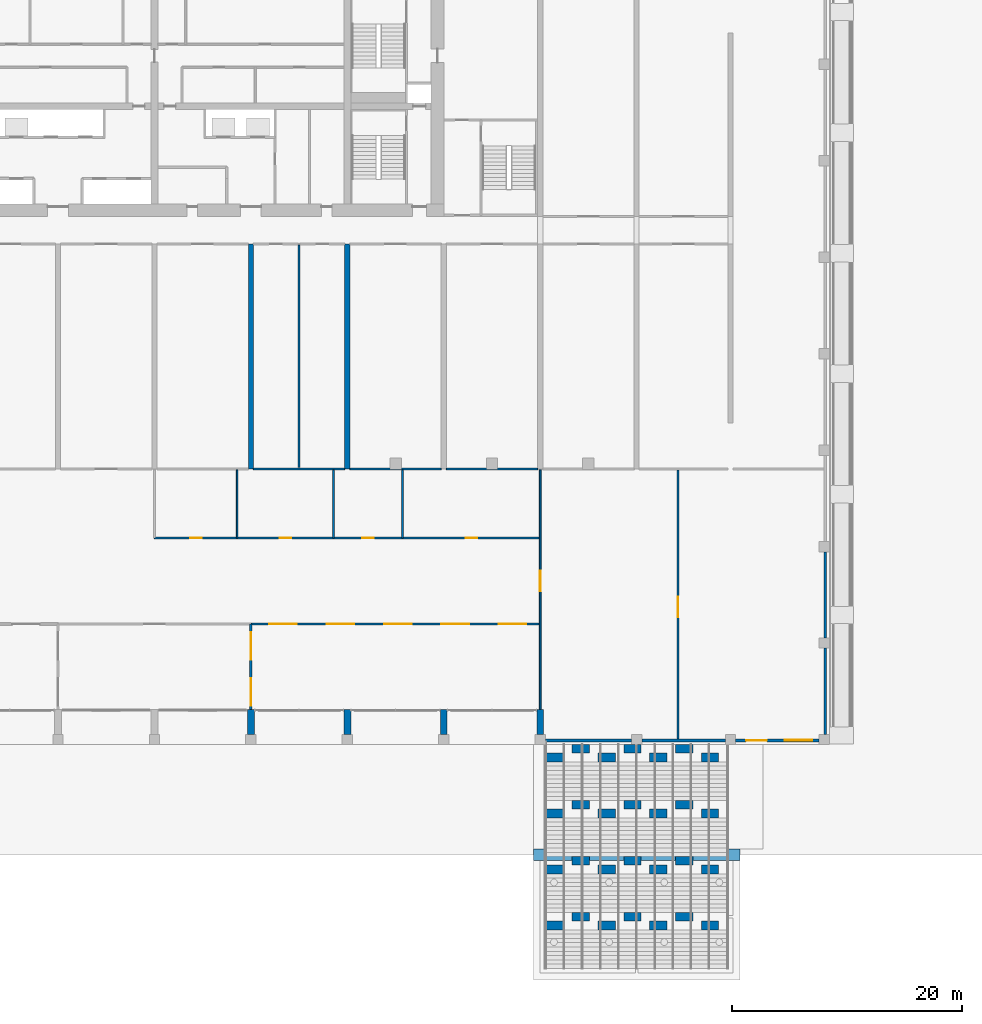
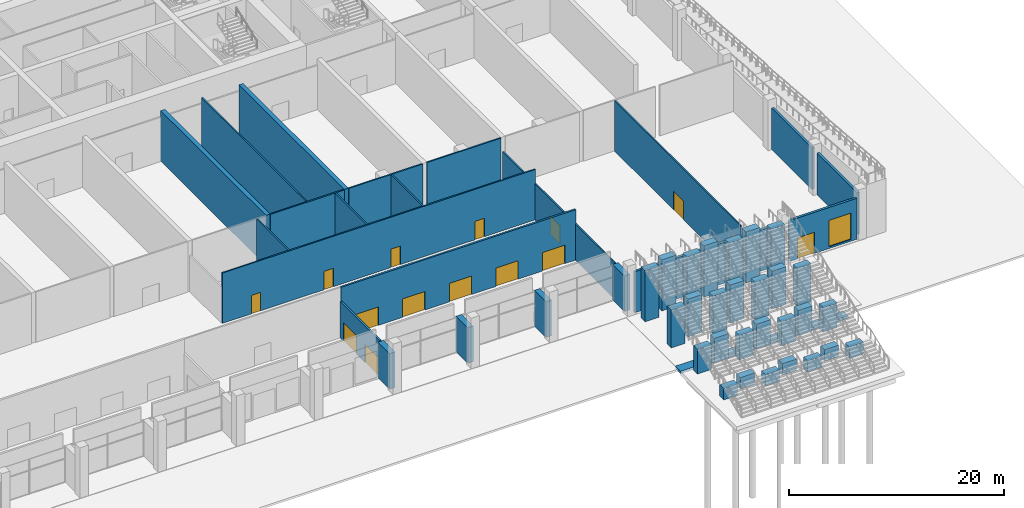
# One storey, part 9 of 20: 52 walls, 14 doors, 1 window, 15 openings.
"""IFC4 building model written with IfcOpenShell, lengths in metres."""

from ifc_helpers import new_model, si_unit, direction, frame, frame_2d, origin, place, context, subcontext, project, spatial, rectangle, extrude, source, transform, mapped, material, layer, layer_set, type_object, element, fill, save


model = new_model("IFC4")

# Units and contexts
model_context = context("Model", 3, precision=1e-05, world=origin(), true_north=direction((0.0, 1.0)))
body_context = subcontext(model_context, "Body", "Model", "MODEL_VIEW")
ifc_project = project(units=[si_unit("LENGTHUNIT", "METRE"), si_unit("AREAUNIT", "SQUARE_METRE"), si_unit("VOLUMEUNIT", "CUBIC_METRE"), si_unit("PLANEANGLEUNIT", "RADIAN"), si_unit("MASSUNIT", "GRAM", prefix="KILO")], contexts=[model_context])

# Site, building, storey
site_placement = place(None, origin())
site = spatial("IfcSite", under=ifc_project, at=site_placement, CompositionType="ELEMENT")
building_placement = place(site_placement, origin())
building = spatial("IfcBuilding", under=site, at=building_placement, Name="Vanashikhar Sky Hotel", CompositionType="ELEMENT")
storey_placement = place(building_placement, origin())
storey = spatial("IfcBuildingStorey", under=building, at=storey_placement, Name="L00", CompositionType="ELEMENT", Elevation=0.0)

# Walls
ifc_material_1 = material(Name="Concrete M80", Category="concrete")
ifc_layer_1 = layer(ifc_material_1, 0.449951171875)
ifc_layer_set_1 = layer_set([ifc_layer_1], Name="RC shear wall 450 Concrete M80")
wall_type_1 = type_object("IfcWallType", Name="RC shear wall 450 Concrete M80", PredefinedType="SHEAR", material=ifc_layer_set_1)
shared_shape_1 = source(origin(), body_context, "Body", "SweptSolid", [
    extrude(rectangle(XDim=19.60009765625, YDim=0.449951171875, at=frame_2d((9.800048828125, 0.0))), origin(), (0.0, 0.0, 1.0), 5.719970703125),
])
for number, where, z_axis, x_axis, name in (
    (1, (58.800048828125, 0.0, 0.0), (0.0, 0.0, 1.0), (0.0, 1.0, 0.0), "CW-L00-XW08-1"),
    (2, (67.199951171875, 0.0, 0.0), (0.0, 0.0, 1.0), (0.0, 1.0, 0.0), "CW-L00-XW09-1"),
):
    element("IfcWall", number, at=place(storey_placement, frame(where, z_axis=z_axis, x_axis=x_axis)), inside=storey, type_object=wall_type_1, Name=name, PredefinedType="SHEAR", context=body_context, shape_type="MappedRepresentation", body=[
        mapped(shared_shape_1, transform((0.0, 0.0, 0.0), scale=1.0)),
    ])
ifc_material_2 = material(Name="Concrete M50", Category="concrete")
ifc_layer_2 = layer(ifc_material_2, 1.0)
ifc_layer_set_2 = layer_set([ifc_layer_2], Name="RC retaining wall 1000 Concrete M50")
wall_type_2 = type_object("IfcWallType", Name="RC retaining wall 1000 Concrete M50", PredefinedType="SHEAR", material=ifc_layer_set_2)
shared_shape_2 = source(origin(), body_context, "Body", "SweptSolid", [
    extrude(rectangle(XDim=18.0, YDim=1.0, at=frame_2d((9.0, 0.0))), origin(), (0.0, 0.0, 1.0), 0.280029296875),
])
wall_1_placement = place(storey_placement, frame((83.39990234375, -33.60009765625, -0.280029296875), z_axis=(0.0, 0.0, 1.0), x_axis=(1.0, 0.0, 0.0)))
element("IfcWall", 3, at=wall_1_placement, inside=storey, type_object=wall_type_2, Name="RW-L00-SU", PredefinedType="SHEAR", context=body_context, shape_type="MappedRepresentation", body=[
    mapped(shared_shape_2, transform((0.0, 0.0, 0.0), scale=1.0)),
])
ifc_layer_3 = layer(ifc_material_2, 0.25)
ifc_layer_set_3 = layer_set([ifc_layer_3], Name="Rear and end board-marked wall 250")
wall_type_3 = type_object("IfcWallType", Name="Rear and end board-marked wall 250", PredefinedType="SOLIDWALL", material=ifc_layer_set_3)
shared_shape_3 = source(origin(), body_context, "Body", "SweptSolid", [
    extrude(rectangle(XDim=7.5, YDim=0.25, at=frame_2d((3.75, 0.0))), origin(), (0.0, 0.0, 1.0), 4.719970703125),
])
for number, where, z_axis, x_axis, name in (
    (4, (108.824951171875, -23.10009765625, 0.0), (0.0, 0.0, 1.0), (0.0, 1.0, 0.0), "Podium external wall"),
    (5, (108.824951171875, -14.699951171875, 0.0), (0.0, 0.0, 1.0), (0.0, 1.0, 0.0), "Podium external wall"),
):
    element("IfcWall", number, at=place(storey_placement, frame(where, z_axis=z_axis, x_axis=x_axis)), inside=storey, type_object=wall_type_3, Name=name, PredefinedType="SOLIDWALL", context=body_context, shape_type="MappedRepresentation", body=[
        mapped(shared_shape_3, transform((0.0, 0.0, 0.0), scale=1.0)),
    ])
shared_shape_4 = source(origin(), body_context, "Body", "SweptSolid", [
    extrude(rectangle(XDim=7.27490234375, YDim=0.25, at=frame_2d((3.637451171875, 0.0))), origin(), (0.0, 0.0, 1.0), 4.64990234375),
])
wall_2_placement = place(storey_placement, frame((92.85009765625, -23.625, 0.0), z_axis=(0.0, 0.0, 1.0), x_axis=(1.0, 0.0, 0.0)))
element("IfcWall", 6, at=wall_2_placement, inside=storey, type_object=wall_type_3, Name="Podium external wall", PredefinedType="SOLIDWALL", context=body_context, shape_type="MappedRepresentation", body=[
    mapped(shared_shape_4, transform((0.0, 0.0, 0.0), scale=1.0)),
])
shared_shape_5 = source(origin(), body_context, "Body", "SweptSolid", [
    extrude(rectangle(XDim=7.5, YDim=0.25, at=frame_2d((3.75, 0.0))), origin(), (0.0, 0.0, 1.0), 4.64990234375),
])
wall_3_placement = place(storey_placement, frame((84.449951171875, -23.625, 0.0), z_axis=(0.0, 0.0, 1.0), x_axis=(1.0, 0.0, 0.0)))
element("IfcWall", 7, at=wall_3_placement, inside=storey, type_object=wall_type_3, Name="Podium external wall", PredefinedType="SOLIDWALL", context=body_context, shape_type="MappedRepresentation", body=[
    mapped(shared_shape_5, transform((0.0, 0.0, 0.0), scale=1.0)),
])

# Wall, openings, window, door
shared_shape_6 = source(origin(), body_context, "Body", "SweptSolid", [
    extrude(rectangle(XDim=7.275146484375, YDim=0.25, at=frame_2d((3.6376953125, 0.0))), origin(), (0.0, 0.0, 1.0), 4.64990234375),
])
wall_4_placement = place(storey_placement, frame((101.02490234375, -23.625, 0.0), z_axis=(0.0, 0.0, 1.0), x_axis=(1.0, 0.0, 0.0)))
wall_4 = element("IfcWall", 8, at=wall_4_placement, inside=storey, type_object=wall_type_3, Name="Podium external wall", PredefinedType="SOLIDWALL", context=body_context, shape_type="MappedRepresentation", body=[
    mapped(shared_shape_6, transform((0.0, 0.0, 0.0), scale=1.0)),
])
shared_shape_7 = source(origin(), body_context, "Body", "SweptSolid", [
    extrude(rectangle(XDim=1.800048828125, YDim=2.39990234375, at=frame_2d((0.89990234375, 1.199951171875))), frame((0.0, 0.135009765625, 0.0), z_axis=(0.0, -1.0, 0.0), x_axis=(1.0, 0.0, 0.0)), (0.0, 0.0, 1.0), 0.27001953125),
])
opening_1_placement = place(wall_4_placement, frame((0.918701171875, 0.0, 0.0)))
opening_1 = element("IfcOpeningElement", 9, at=opening_1_placement, cuts=wall_4, Name="Opening DX-2-004", PredefinedType="OPENING", context=body_context, shape_type="MappedRepresentation", body=[
    mapped(shared_shape_7, transform((0.0, 0.0, 0.0), scale=1.0)),
])
shared_shape_8 = source(origin(), body_context, "Body", "SweptSolid", [
    extrude(rectangle(XDim=2.39990234375, YDim=3.0, at=frame_2d((1.199951171875, 1.5))), frame((0.0, 0.135009765625, 0.0), z_axis=(0.0, -1.0, 0.0), x_axis=(1.0, 0.0, 0.0)), (0.0, 0.0, 1.0), 0.27001953125),
])
opening_2_placement = place(wall_4_placement, frame((4.25634765625, 0.0, 0.199951171875)))
opening_2 = element("IfcOpeningElement", 10, at=opening_2_placement, cuts=wall_4, Name="Opening WN-5", PredefinedType="OPENING", context=body_context, shape_type="MappedRepresentation", body=[
    mapped(shared_shape_8, transform((0.0, 0.0, 0.0), scale=1.0)),
])
ifc_material_3 = material(Name="Glass", Category="glass")
window_type = type_object("IfcWindowType", Name="Shopfront window 2400 x 3000", PartitioningType="SINGLE_PANEL", PredefinedType="WINDOW", material=ifc_material_3)
shared_shape_9 = source(origin(), body_context, "Body", "SweptSolid", [
    extrude(rectangle(XDim=2.39990234375, YDim=3.0, at=frame_2d((1.199951171875, 1.5))), frame((0.0, 0.030029296875, 0.0), z_axis=(0.0, -1.0, 0.0), x_axis=(1.0, 0.0, 0.0)), (0.0, 0.0, 1.0), 0.06005859375),
])
window_placement = place(opening_2_placement, origin())
window = element("IfcWindow", 11, at=window_placement, inside=storey, type_object=window_type, Name="Window WN-5", OverallHeight=3.0, OverallWidth=2.39990234375, PartitioningType="SINGLE_PANEL", PredefinedType="WINDOW", context=body_context, shape_type="MappedRepresentation", body=[
    mapped(shared_shape_9, transform((0.0, 0.0, 0.0), scale=1.0)),
])
fill(opening_2, window)
ifc_material_4 = material(Name="Aluminium", Category="aluminium")
door_type_1 = type_object("IfcDoorType", Name="Garden double door 1800 x 2400", OperationType="NOTDEFINED", PredefinedType="DOOR", material=ifc_material_4)
shared_shape_10 = source(origin(), body_context, "Body", "SweptSolid", [
    extrude(rectangle(XDim=1.800048828125, YDim=2.39990234375, at=frame_2d((0.89990234375, 1.199951171875))), frame((0.0, 0.02490234375, 0.0), z_axis=(0.0, -1.0, 0.0), x_axis=(1.0, 0.0, 0.0)), (0.0, 0.0, 1.0), 0.050048828125),
])
door_1_placement = place(opening_1_placement, origin())
door_1 = element("IfcDoor", 12, at=door_1_placement, inside=storey, type_object=door_type_1, Name="Garden double door", OperationType="DOUBLE_DOOR_SINGLE_SWING", OverallHeight=2.39990234375, OverallWidth=1.800048828125, PredefinedType="DOOR", context=body_context, shape_type="MappedRepresentation", body=[
    mapped(shared_shape_10, transform((0.0, 0.0, 0.0), scale=1.0)),
])
fill(opening_1, door_1)

# Walls
ifc_layer_4 = layer(ifc_material_2, 0.60009765625)
ifc_layer_set_4 = layer_set([ifc_layer_4], Name="Entrance pier 600")
wall_type_4 = type_object("IfcWallType", Name="Entrance pier 600", PredefinedType="SOLIDWALL", material=ifc_layer_set_4)
shared_shape_11 = source(origin(), body_context, "Body", "SweptSolid", [
    extrude(rectangle(XDim=2.18017578125, YDim=0.60009765625, at=frame_2d((1.090087890625, 0.0))), origin(), (0.0, 0.0, 1.0), 4.050048828125),
])
for number, where, z_axis, x_axis, name in (
    (13, (58.800048828125, -23.10009765625, 0.0), (0.0, 0.0, 1.0), (0.0, 1.0, 0.0), "Entrance pier"),
    (14, (67.199951171875, -23.10009765625, 0.0), (0.0, 0.0, 1.0), (0.0, 1.0, 0.0), "Entrance pier"),
    (15, (75.60009765625, -23.10009765625, 0.0), (0.0, 0.0, 1.0), (0.0, 1.0, 0.0), "Entrance pier"),
    (16, (84.0, -23.10009765625, 0.0), (0.0, 0.0, 1.0), (0.0, 1.0, 0.0), "Entrance pier"),
):
    element("IfcWall", number, at=place(storey_placement, frame(where, z_axis=z_axis, x_axis=x_axis)), inside=storey, type_object=wall_type_4, Name=name, PredefinedType="SOLIDWALL", context=body_context, shape_type="MappedRepresentation", body=[
        mapped(shared_shape_11, transform((0.0, 0.0, 0.0), scale=1.0)),
    ])
ifc_material_5 = material(Name="Concrete M40", Category="concrete")
ifc_layer_5 = layer(ifc_material_5, 1.0)
ifc_layer_set_5 = layer_set([ifc_layer_5], Name="RC landing support wall 1000 Concrete M40")
wall_type_5 = type_object("IfcWallType", Name="RC landing support wall 1000 Concrete M40", PredefinedType="SOLIDWALL", material=ifc_layer_set_5)
shared_shape_12 = source(origin(), body_context, "Body", "SweptSolid", [
    extrude(rectangle(XDim=1.5, YDim=0.75, at=frame_2d((0.75, 0.0))), origin(), (0.0, 0.0, 1.0), 1.300048828125),
])
for number, where, z_axis, x_axis, name in (
    (17, (84.5400390625, -39.75, 0.0), (0.0, 0.0, 1.0), (1.0, 0.0, 0.0), "Garden stair landing support"),
    (18, (89.0400390625, -39.75, 0.0), (0.0, 0.0, 1.0), (1.0, 0.0, 0.0), "Garden stair landing support"),
    (19, (93.5400390625, -39.75, 0.0), (0.0, 0.0, 1.0), (1.0, 0.0, 0.0), "Garden stair landing support"),
    (20, (98.0400390625, -39.75, 0.0), (0.0, 0.0, 1.0), (1.0, 0.0, 0.0), "Garden stair landing support"),
    (21, (86.7900390625, -39.0, 0.0), (0.0, 0.0, 1.0), (1.0, 0.0, 0.0), "Garden stair landing support"),
    (22, (91.2900390625, -39.0, 0.0), (0.0, 0.0, 1.0), (1.0, 0.0, 0.0), "Garden stair landing support"),
    (23, (95.7900390625, -39.0, 0.0), (0.0, 0.0, 1.0), (1.0, 0.0, 0.0), "Garden stair landing support"),
):
    element("IfcWall", number, at=place(storey_placement, frame(where, z_axis=z_axis, x_axis=x_axis)), inside=storey, type_object=wall_type_5, Name=name, PredefinedType="SOLIDWALL", context=body_context, shape_type="MappedRepresentation", body=[
        mapped(shared_shape_12, transform((0.0, 0.0, 0.0), scale=1.0)),
    ])
shared_shape_13 = source(origin(), body_context, "Body", "SweptSolid", [
    extrude(rectangle(XDim=1.5, YDim=0.75, at=frame_2d((0.75, 0.0))), origin(), (0.0, 0.0, 1.0), 2.800048828125),
])
for number, where, z_axis, x_axis, name in (
    (24, (84.5400390625, -34.875, 0.0), (0.0, 0.0, 1.0), (1.0, 0.0, 0.0), "Garden stair landing support"),
    (25, (89.0400390625, -34.875, 0.0), (0.0, 0.0, 1.0), (1.0, 0.0, 0.0), "Garden stair landing support"),
    (26, (93.5400390625, -34.875, 0.0), (0.0, 0.0, 1.0), (1.0, 0.0, 0.0), "Garden stair landing support"),
    (27, (98.0400390625, -34.875, 0.0), (0.0, 0.0, 1.0), (1.0, 0.0, 0.0), "Garden stair landing support"),
    (28, (86.7900390625, -34.125, 0.0), (0.0, 0.0, 1.0), (1.0, 0.0, 0.0), "Garden stair landing support"),
    (29, (91.2900390625, -34.125, 0.0), (0.0, 0.0, 1.0), (1.0, 0.0, 0.0), "Garden stair landing support"),
    (30, (95.7900390625, -34.125, 0.0), (0.0, 0.0, 1.0), (1.0, 0.0, 0.0), "Garden stair landing support"),
):
    element("IfcWall", number, at=place(storey_placement, frame(where, z_axis=z_axis, x_axis=x_axis)), inside=storey, type_object=wall_type_5, Name=name, PredefinedType="SOLIDWALL", context=body_context, shape_type="MappedRepresentation", body=[
        mapped(shared_shape_13, transform((0.0, 0.0, 0.0), scale=1.0)),
    ])
shared_shape_14 = source(origin(), body_context, "Body", "SweptSolid", [
    extrude(rectangle(XDim=1.5, YDim=0.75, at=frame_2d((0.75, 0.0))), origin(), (0.0, 0.0, 1.0), 4.300048828125),
])
for number, where, z_axis, x_axis, name in (
    (31, (84.5400390625, -30.0, 0.0), (0.0, 0.0, 1.0), (1.0, 0.0, 0.0), "Garden stair landing support"),
    (32, (89.0400390625, -30.0, 0.0), (0.0, 0.0, 1.0), (1.0, 0.0, 0.0), "Garden stair landing support"),
    (33, (93.5400390625, -30.0, 0.0), (0.0, 0.0, 1.0), (1.0, 0.0, 0.0), "Garden stair landing support"),
    (34, (98.0400390625, -30.0, 0.0), (0.0, 0.0, 1.0), (1.0, 0.0, 0.0), "Garden stair landing support"),
    (35, (86.7900390625, -29.25, 0.0), (0.0, 0.0, 1.0), (1.0, 0.0, 0.0), "Garden stair landing support"),
    (36, (91.2900390625, -29.25, 0.0), (0.0, 0.0, 1.0), (1.0, 0.0, 0.0), "Garden stair landing support"),
    (37, (95.7900390625, -29.25, 0.0), (0.0, 0.0, 1.0), (1.0, 0.0, 0.0), "Garden stair landing support"),
):
    element("IfcWall", number, at=place(storey_placement, frame(where, z_axis=z_axis, x_axis=x_axis)), inside=storey, type_object=wall_type_5, Name=name, PredefinedType="SOLIDWALL", context=body_context, shape_type="MappedRepresentation", body=[
        mapped(shared_shape_14, transform((0.0, 0.0, 0.0), scale=1.0)),
    ])
shared_shape_15 = source(origin(), body_context, "Body", "SweptSolid", [
    extrude(rectangle(XDim=1.5, YDim=0.75, at=frame_2d((0.75, 0.0))), origin(), (0.0, 0.0, 1.0), 5.800048828125),
])
for number, where, z_axis, x_axis, name in (
    (38, (84.5400390625, -25.125, 0.0), (0.0, 0.0, 1.0), (1.0, 0.0, 0.0), "Garden stair landing support"),
    (39, (89.0400390625, -25.125, 0.0), (0.0, 0.0, 1.0), (1.0, 0.0, 0.0), "Garden stair landing support"),
    (40, (93.5400390625, -25.125, 0.0), (0.0, 0.0, 1.0), (1.0, 0.0, 0.0), "Garden stair landing support"),
    (41, (98.0400390625, -25.125, 0.0), (0.0, 0.0, 1.0), (1.0, 0.0, 0.0), "Garden stair landing support"),
    (42, (86.7900390625, -24.375, 0.0), (0.0, 0.0, 1.0), (1.0, 0.0, 0.0), "Garden stair landing support"),
    (43, (91.2900390625, -24.375, 0.0), (0.0, 0.0, 1.0), (1.0, 0.0, 0.0), "Garden stair landing support"),
    (44, (95.7900390625, -24.375, 0.0), (0.0, 0.0, 1.0), (1.0, 0.0, 0.0), "Garden stair landing support"),
):
    element("IfcWall", number, at=place(storey_placement, frame(where, z_axis=z_axis, x_axis=x_axis)), inside=storey, type_object=wall_type_5, Name=name, PredefinedType="SOLIDWALL", context=body_context, shape_type="MappedRepresentation", body=[
        mapped(shared_shape_15, transform((0.0, 0.0, 0.0), scale=1.0)),
    ])
ifc_material_6 = material(Name="Gypsum plasterboard partition")
ifc_layer_6 = layer(ifc_material_6, 0.14990234375)
ifc_layer_set_6 = layer_set([ifc_layer_6], Name="Corridor and demising partition 150")
wall_type_6 = type_object("IfcWallType", Name="Corridor and demising partition 150", PredefinedType="PARTITIONING", material=ifc_layer_set_6)
shared_shape_16 = source(origin(), body_context, "Body", "SweptSolid", [
    extrude(rectangle(XDim=7.949951171875, YDim=0.14990234375, at=frame_2d((3.97509765625, 0.0))), origin(), (0.0, 0.0, 1.0), 5.719970703125),
])
for number, where, z_axis, x_axis, name in (
    (45, (67.425048828125, 0.0, 0.0), (0.0, 0.0, 1.0), (1.0, 0.0, 0.0), "W-L00-PW020"),
    (46, (75.824951171875, 0.0, 0.0), (0.0, 0.0, 1.0), (1.0, 0.0, 0.0), "W-L00-PW022"),
):
    element("IfcWall", number, at=place(storey_placement, frame(where, z_axis=z_axis, x_axis=x_axis)), inside=storey, type_object=wall_type_6, Name=name, PredefinedType="PARTITIONING", context=body_context, shape_type="MappedRepresentation", body=[
        mapped(shared_shape_16, transform((0.0, 0.0, 0.0), scale=1.0)),
    ])
shared_shape_17 = source(origin(), body_context, "Body", "SweptSolid", [
    extrude(rectangle(XDim=7.9501953125, YDim=0.14990234375, at=frame_2d((3.97509765625, 0.0))), origin(), (0.0, 0.0, 1.0), 5.719970703125),
])
wall_5_placement = place(storey_placement, frame((59.02490234375, 0.0, 0.0), z_axis=(0.0, 0.0, 1.0), x_axis=(1.0, 0.0, 0.0)))
element("IfcWall", 47, at=wall_5_placement, inside=storey, type_object=wall_type_6, Name="W-L00-PW018", PredefinedType="PARTITIONING", context=body_context, shape_type="MappedRepresentation", body=[
    mapped(shared_shape_17, transform((0.0, 0.0, 0.0), scale=1.0)),
])
shared_shape_18 = source(origin(), body_context, "Body", "SweptSolid", [
    extrude(rectangle(XDim=19.375, YDim=0.14990234375, at=frame_2d((9.6875, 0.0))), origin(), (0.0, 0.0, 1.0), 5.719970703125),
])
wall_6_placement = place(storey_placement, frame((63.0, 0.14990234375, 0.0), z_axis=(0.0, 0.0, 1.0), x_axis=(0.0, 1.0, 0.0)))
element("IfcWall", 48, at=wall_6_placement, inside=storey, type_object=wall_type_6, Name="W-L00-PW017", PredefinedType="PARTITIONING", context=body_context, shape_type="MappedRepresentation", body=[
    mapped(shared_shape_18, transform((0.0, 0.0, 0.0), scale=1.0)),
])

# Wall, opening, door
shared_shape_19 = source(origin(), body_context, "Body", "SweptSolid", [
    extrude(rectangle(XDim=20.844970703125, YDim=0.14990234375, at=frame_2d((10.42236328125, 0.0))), origin(), (0.0, 0.0, 1.0), 4.1201171875),
])
wall_7_placement = place(storey_placement, frame((84.0, -20.919921875, 0.0), z_axis=(0.0, 0.0, 1.0), x_axis=(0.0, 1.0, 0.0)))
wall_7 = element("IfcWall", 49, at=wall_7_placement, inside=storey, type_object=wall_type_6, Name="W-L00-PW035", PredefinedType="PARTITIONING", context=body_context, shape_type="MappedRepresentation", body=[
    mapped(shared_shape_19, transform((0.0, 0.0, 0.0), scale=1.0)),
])
shared_shape_20 = source(origin(), body_context, "Body", "SweptSolid", [
    extrude(rectangle(XDim=1.800048828125, YDim=2.10009765625, at=frame_2d((0.89990234375, 1.050048828125))), frame((0.0, 0.0849609375, 0.0), z_axis=(0.0, -1.0, 0.0), x_axis=(1.0, 0.0, 0.0)), (0.0, 0.0, 1.0), 0.169921875),
])
opening_3_placement = place(wall_7_placement, frame((10.27001953125, 0.0, 0.0)))
opening_3 = element("IfcOpeningElement", 50, at=opening_3_placement, cuts=wall_7, Name="Opening D-03", PredefinedType="OPENING", context=body_context, shape_type="MappedRepresentation", body=[
    mapped(shared_shape_20, transform((0.0, 0.0, 0.0), scale=1.0)),
])
ifc_material_7 = material(Name="Timber fire door", Category="wood")
door_type_2 = type_object("IfcDoorType", Name="Double leaf door 1800 FD30S", OperationType="NOTDEFINED", PredefinedType="DOOR", material=ifc_material_7)
shared_shape_21 = source(origin(), body_context, "Body", "SweptSolid", [
    extrude(rectangle(XDim=1.800048828125, YDim=2.10009765625, at=frame_2d((0.89990234375, 1.050048828125))), frame((0.0, 0.02490234375, 0.0), z_axis=(0.0, -1.0, 0.0), x_axis=(1.0, 0.0, 0.0)), (0.0, 0.0, 1.0), 0.050048828125),
])
door_2_placement = place(opening_3_placement, origin())
door_2 = element("IfcDoor", 51, at=door_2_placement, inside=storey, type_object=door_type_2, Name="D-L00-020", OperationType="DOUBLE_DOOR_SINGLE_SWING", OverallHeight=2.10009765625, OverallWidth=1.800048828125, PredefinedType="DOOR", context=body_context, shape_type="MappedRepresentation", body=[
    mapped(shared_shape_21, transform((0.0, 0.0, 0.0), scale=1.0)),
])
fill(opening_3, door_2)

shared_shape_22 = source(origin(), body_context, "Body", "SweptSolid", [
    extrude(rectangle(XDim=23.425048828125, YDim=0.14990234375, at=frame_2d((11.71240234375, 0.0))), origin(), (0.0, 0.0, 1.0), 5.719970703125),
])
wall_8_placement = place(storey_placement, frame((96.0, -23.5, 0.0), z_axis=(0.0, 0.0, 1.0), x_axis=(0.0, 1.0, 0.0)))
wall_8 = element("IfcWall", 52, at=wall_8_placement, inside=storey, type_object=wall_type_6, Name="W-L00-PW036", PredefinedType="PARTITIONING", context=body_context, shape_type="MappedRepresentation", body=[
    mapped(shared_shape_22, transform((0.0, 0.0, 0.0), scale=1.0)),
])
opening_4_placement = place(wall_8_placement, frame((10.60009765625, 0.0, 0.0)))
opening_4 = element("IfcOpeningElement", 53, at=opening_4_placement, cuts=wall_8, Name="Opening D-03", PredefinedType="OPENING", context=body_context, shape_type="MappedRepresentation", body=[
    mapped(shared_shape_20, transform((0.0, 0.0, 0.0), scale=1.0)),
])
door_3_placement = place(opening_4_placement, origin())
door_3 = element("IfcDoor", 54, at=door_3_placement, inside=storey, type_object=door_type_2, Name="D-L00-021", OperationType="DOUBLE_DOOR_SINGLE_SWING", OverallHeight=2.10009765625, OverallWidth=1.800048828125, PredefinedType="DOOR", context=body_context, shape_type="MappedRepresentation", body=[
    mapped(shared_shape_21, transform((0.0, 0.0, 0.0), scale=1.0)),
])
fill(opening_4, door_3)

# Wall, openings, doors
ifc_material_8 = material(Name="Plastered blockwork", Category="masonry")
ifc_layer_7 = layer(ifc_material_8, 0.199951171875)
ifc_layer_set_7 = layer_set([ifc_layer_7], Name="Lobby front wall 200")
wall_type_7 = type_object("IfcWallType", Name="Lobby front wall 200", PredefinedType="PARTITIONING", material=ifc_layer_set_7)
shared_shape_23 = source(origin(), body_context, "Body", "SweptSolid", [
    extrude(rectangle(XDim=25.199951171875, YDim=0.199951171875, at=frame_2d((12.60009765625, 0.0))), origin(), (0.0, 0.0, 1.0), 5.719970703125),
])
wall_9_placement = place(storey_placement, frame((58.800048828125, -13.5, 0.0), z_axis=(0.0, 0.0, 1.0), x_axis=(1.0, 0.0, 0.0)))
wall_9 = element("IfcWall", 55, at=wall_9_placement, inside=storey, type_object=wall_type_7, Name="W-L00-PW038", PredefinedType="PARTITIONING", context=body_context, shape_type="MappedRepresentation", body=[
    mapped(shared_shape_23, transform((0.0, 0.0, 0.0), scale=1.0)),
])
shared_shape_24 = source(origin(), body_context, "Body", "SweptSolid", [
    extrude(rectangle(XDim=2.39990234375, YDim=2.10009765625, at=frame_2d((1.199951171875, 1.050048828125))), frame((0.0, 0.10986328125, 0.0), z_axis=(0.0, -1.0, 0.0), x_axis=(1.0, 0.0, 0.0)), (0.0, 0.0, 1.0), 0.219970703125),
])
opening_5_placement = place(wall_9_placement, frame((1.60009765625, 0.0, 0.0)))
opening_5 = element("IfcOpeningElement", 56, at=opening_5_placement, cuts=wall_9, Name="Opening D-07", PredefinedType="OPENING", context=body_context, shape_type="MappedRepresentation", body=[
    mapped(shared_shape_24, transform((0.0, 0.0, 0.0), scale=1.0)),
])
opening_6_placement = place(wall_9_placement, frame((6.60009765625, 0.0, 0.0)))
opening_6 = element("IfcOpeningElement", 57, at=opening_6_placement, cuts=wall_9, Name="Opening D-07", PredefinedType="OPENING", context=body_context, shape_type="MappedRepresentation", body=[
    mapped(shared_shape_24, transform((0.0, 0.0, 0.0), scale=1.0)),
])
opening_7_placement = place(wall_9_placement, frame((11.60009765625, 0.0, 0.0)))
opening_7 = element("IfcOpeningElement", 58, at=opening_7_placement, cuts=wall_9, Name="Opening D-07", PredefinedType="OPENING", context=body_context, shape_type="MappedRepresentation", body=[
    mapped(shared_shape_24, transform((0.0, 0.0, 0.0), scale=1.0)),
])
opening_8_placement = place(wall_9_placement, frame((16.60009765625, 0.0, 0.0)))
opening_8 = element("IfcOpeningElement", 59, at=opening_8_placement, cuts=wall_9, Name="Opening D-07", PredefinedType="OPENING", context=body_context, shape_type="MappedRepresentation", body=[
    mapped(shared_shape_24, transform((0.0, 0.0, 0.0), scale=1.0)),
])
opening_9_placement = place(wall_9_placement, frame((21.60009765625, 0.0, 0.0)))
opening_9 = element("IfcOpeningElement", 60, at=opening_9_placement, cuts=wall_9, Name="Opening D-07", PredefinedType="OPENING", context=body_context, shape_type="MappedRepresentation", body=[
    mapped(shared_shape_24, transform((0.0, 0.0, 0.0), scale=1.0)),
])
ifc_material_9 = material(Name="Aluminium and glass", Category="aluminium")
door_type_3 = type_object("IfcDoorType", Name="Glazed entrance door 2400", OperationType="NOTDEFINED", PredefinedType="DOOR", material=ifc_material_9)
shared_shape_25 = source(origin(), body_context, "Body", "SweptSolid", [
    extrude(rectangle(XDim=2.39990234375, YDim=2.10009765625, at=frame_2d((1.199951171875, 1.050048828125))), frame((0.0, 0.02490234375, 0.0), z_axis=(0.0, -1.0, 0.0), x_axis=(1.0, 0.0, 0.0)), (0.0, 0.0, 1.0), 0.050048828125),
])
door_4_placement = place(opening_5_placement, origin())
door_4 = element("IfcDoor", 61, at=door_4_placement, inside=storey, type_object=door_type_3, Name="D-L00-027", OperationType="DOUBLE_DOOR_SINGLE_SWING", OverallHeight=2.10009765625, OverallWidth=2.39990234375, PredefinedType="DOOR", context=body_context, shape_type="MappedRepresentation", body=[
    mapped(shared_shape_25, transform((0.0, 0.0, 0.0), scale=1.0)),
])
fill(opening_5, door_4)
door_5_placement = place(opening_6_placement, origin())
door_5 = element("IfcDoor", 62, at=door_5_placement, inside=storey, type_object=door_type_3, Name="D-L00-028", OperationType="DOUBLE_DOOR_SINGLE_SWING", OverallHeight=2.10009765625, OverallWidth=2.39990234375, PredefinedType="DOOR", context=body_context, shape_type="MappedRepresentation", body=[
    mapped(shared_shape_25, transform((0.0, 0.0, 0.0), scale=1.0)),
])
fill(opening_6, door_5)
door_6_placement = place(opening_7_placement, origin())
door_6 = element("IfcDoor", 63, at=door_6_placement, inside=storey, type_object=door_type_3, Name="D-L00-029", OperationType="DOUBLE_DOOR_SINGLE_SWING", OverallHeight=2.10009765625, OverallWidth=2.39990234375, PredefinedType="DOOR", context=body_context, shape_type="MappedRepresentation", body=[
    mapped(shared_shape_25, transform((0.0, 0.0, 0.0), scale=1.0)),
])
fill(opening_7, door_6)
door_7_placement = place(opening_8_placement, origin())
door_7 = element("IfcDoor", 64, at=door_7_placement, inside=storey, type_object=door_type_3, Name="D-L00-030", OperationType="DOUBLE_DOOR_SINGLE_SWING", OverallHeight=2.10009765625, OverallWidth=2.39990234375, PredefinedType="DOOR", context=body_context, shape_type="MappedRepresentation", body=[
    mapped(shared_shape_25, transform((0.0, 0.0, 0.0), scale=1.0)),
])
fill(opening_8, door_7)
door_8_placement = place(opening_9_placement, origin())
door_8 = element("IfcDoor", 65, at=door_8_placement, inside=storey, type_object=door_type_3, Name="D-L00-031", OperationType="DOUBLE_DOOR_SINGLE_SWING", OverallHeight=2.10009765625, OverallWidth=2.39990234375, PredefinedType="DOOR", context=body_context, shape_type="MappedRepresentation", body=[
    mapped(shared_shape_25, transform((0.0, 0.0, 0.0), scale=1.0)),
])
fill(opening_9, door_8)

shared_shape_26 = source(origin(), body_context, "Body", "SweptSolid", [
    extrude(rectangle(XDim=7.419921875, YDim=0.199951171875, at=frame_2d((3.7099609375, 0.0))), origin(), (0.0, 0.0, 1.0), 4.1201171875),
])
wall_10_placement = place(storey_placement, frame((58.800048828125, -20.919921875, 0.0), z_axis=(0.0, 0.0, 1.0), x_axis=(0.0, 1.0, 0.0)))
wall_10 = element("IfcWall", 66, at=wall_10_placement, inside=storey, type_object=wall_type_7, Name="W-L00-PW040", PredefinedType="PARTITIONING", context=body_context, shape_type="MappedRepresentation", body=[
    mapped(shared_shape_26, transform((0.0, 0.0, 0.0), scale=1.0)),
])
opening_10_placement = place(wall_10_placement, frame((0.320068359375, 0.0, 0.0)))
opening_10 = element("IfcOpeningElement", 67, at=opening_10_placement, cuts=wall_10, Name="Opening D-07", PredefinedType="OPENING", context=body_context, shape_type="MappedRepresentation", body=[
    mapped(shared_shape_24, transform((0.0, 0.0, 0.0), scale=1.0)),
])
opening_11_placement = place(wall_10_placement, frame((4.320068359375, 0.0, 0.0)))
opening_11 = element("IfcOpeningElement", 68, at=opening_11_placement, cuts=wall_10, Name="Opening D-07", PredefinedType="OPENING", context=body_context, shape_type="MappedRepresentation", body=[
    mapped(shared_shape_24, transform((0.0, 0.0, 0.0), scale=1.0)),
])
door_9_placement = place(opening_10_placement, origin())
door_9 = element("IfcDoor", 69, at=door_9_placement, inside=storey, type_object=door_type_3, Name="D-L00-034", OperationType="DOUBLE_DOOR_SINGLE_SWING", OverallHeight=2.10009765625, OverallWidth=2.39990234375, PredefinedType="DOOR", context=body_context, shape_type="MappedRepresentation", body=[
    mapped(shared_shape_25, transform((0.0, 0.0, 0.0), scale=1.0)),
])
fill(opening_10, door_9)
door_10_placement = place(opening_11_placement, origin())
door_10 = element("IfcDoor", 70, at=door_10_placement, inside=storey, type_object=door_type_3, Name="D-L00-035", OperationType="DOUBLE_DOOR_SINGLE_SWING", OverallHeight=2.10009765625, OverallWidth=2.39990234375, PredefinedType="DOOR", context=body_context, shape_type="MappedRepresentation", body=[
    mapped(shared_shape_25, transform((0.0, 0.0, 0.0), scale=1.0)),
])
fill(opening_11, door_10)

shared_shape_27 = source(origin(), body_context, "Body", "SweptSolid", [
    extrude(rectangle(XDim=33.60009765625, YDim=0.14990234375, at=frame_2d((16.800048828125, 0.0))), origin(), (0.0, 0.0, 1.0), 5.719970703125),
])
wall_11_placement = place(storey_placement, frame((50.39990234375, -6.0, 0.0), z_axis=(0.0, 0.0, 1.0), x_axis=(1.0, 0.0, 0.0)))
wall_11 = element("IfcWall", 71, at=wall_11_placement, inside=storey, type_object=wall_type_6, Name="W-L00-PW042", PredefinedType="PARTITIONING", context=body_context, shape_type="MappedRepresentation", body=[
    mapped(shared_shape_27, transform((0.0, 0.0, 0.0), scale=1.0)),
])
shared_shape_28 = source(origin(), body_context, "Body", "SweptSolid", [
    extrude(rectangle(XDim=1.0, YDim=2.10009765625, at=frame_2d((0.5, 1.050048828125))), frame((0.0, 0.0849609375, 0.0), z_axis=(0.0, -1.0, 0.0), x_axis=(1.0, 0.0, 0.0)), (0.0, 0.0, 1.0), 0.169921875),
])
opening_12_placement = place(wall_11_placement, frame((3.10009765625, 0.0, 0.0)))
opening_12 = element("IfcOpeningElement", 72, at=opening_12_placement, cuts=wall_11, Name="Opening D-01", PredefinedType="OPENING", context=body_context, shape_type="MappedRepresentation", body=[
    mapped(shared_shape_28, transform((0.0, 0.0, 0.0), scale=1.0)),
])
opening_13_placement = place(wall_11_placement, frame((10.89990234375, 0.0, 0.0)))
opening_13 = element("IfcOpeningElement", 73, at=opening_13_placement, cuts=wall_11, Name="Opening D-01", PredefinedType="OPENING", context=body_context, shape_type="MappedRepresentation", body=[
    mapped(shared_shape_28, transform((0.0, 0.0, 0.0), scale=1.0)),
])
opening_14_placement = place(wall_11_placement, frame((18.10009765625, 0.0, 0.0)))
opening_14 = element("IfcOpeningElement", 74, at=opening_14_placement, cuts=wall_11, Name="Opening D-01", PredefinedType="OPENING", context=body_context, shape_type="MappedRepresentation", body=[
    mapped(shared_shape_28, transform((0.0, 0.0, 0.0), scale=1.0)),
])
opening_15_placement = place(wall_11_placement, frame((27.10009765625, 0.0, 0.0)))
opening_15 = element("IfcOpeningElement", 75, at=opening_15_placement, cuts=wall_11, Name="Opening D-01", PredefinedType="OPENING", context=body_context, shape_type="MappedRepresentation", body=[
    mapped(shared_shape_28, transform((0.0, 0.0, 0.0), scale=1.0)),
])
door_type_4 = type_object("IfcDoorType", Name="Guest entry door 1000 FD30S", OperationType="NOTDEFINED", PredefinedType="DOOR", material=ifc_material_7)
shared_shape_29 = source(origin(), body_context, "Body", "SweptSolid", [
    extrude(rectangle(XDim=1.0, YDim=2.10009765625, at=frame_2d((0.5, 1.050048828125))), frame((0.0, 0.02490234375, 0.0), z_axis=(0.0, -1.0, 0.0), x_axis=(1.0, 0.0, 0.0)), (0.0, 0.0, 1.0), 0.050048828125),
])
door_11_placement = place(opening_12_placement, origin())
door_11 = element("IfcDoor", 76, at=door_11_placement, inside=storey, type_object=door_type_4, Name="D-L00-037", OperationType="SINGLE_SWING_LEFT", OverallHeight=2.10009765625, OverallWidth=1.0, PredefinedType="DOOR", context=body_context, shape_type="MappedRepresentation", body=[
    mapped(shared_shape_29, transform((0.0, 0.0, 0.0), scale=1.0)),
])
fill(opening_12, door_11)
door_12_placement = place(opening_13_placement, origin())
door_12 = element("IfcDoor", 77, at=door_12_placement, inside=storey, type_object=door_type_4, Name="D-L00-038", OperationType="SINGLE_SWING_LEFT", OverallHeight=2.10009765625, OverallWidth=1.0, PredefinedType="DOOR", context=body_context, shape_type="MappedRepresentation", body=[
    mapped(shared_shape_29, transform((0.0, 0.0, 0.0), scale=1.0)),
])
fill(opening_13, door_12)
door_13_placement = place(opening_14_placement, origin())
door_13 = element("IfcDoor", 78, at=door_13_placement, inside=storey, type_object=door_type_4, Name="D-L00-039", OperationType="SINGLE_SWING_LEFT", OverallHeight=2.10009765625, OverallWidth=1.0, PredefinedType="DOOR", context=body_context, shape_type="MappedRepresentation", body=[
    mapped(shared_shape_29, transform((0.0, 0.0, 0.0), scale=1.0)),
])
fill(opening_14, door_13)
door_14_placement = place(opening_15_placement, origin())
door_14 = element("IfcDoor", 79, at=door_14_placement, inside=storey, type_object=door_type_4, Name="D-L00-040", OperationType="SINGLE_SWING_LEFT", OverallHeight=2.10009765625, OverallWidth=1.0, PredefinedType="DOOR", context=body_context, shape_type="MappedRepresentation", body=[
    mapped(shared_shape_29, transform((0.0, 0.0, 0.0), scale=1.0)),
])
fill(opening_15, door_14)

# Walls
shared_shape_30 = source(origin(), body_context, "Body", "SweptSolid", [
    extrude(rectangle(XDim=5.925048828125, YDim=0.14990234375, at=frame_2d((2.96240234375, 0.0))), origin(), (0.0, 0.0, 1.0), 5.719970703125),
])
for number, where, z_axis, x_axis, name in (
    (80, (57.60009765625, -6.0, 0.0), (0.0, 0.0, 1.0), (0.0, 1.0, 0.0), "W-L00-PW044"),
    (81, (66.0, -6.0, 0.0), (0.0, 0.0, 1.0), (0.0, 1.0, 0.0), "W-L00-PW045"),
    (82, (72.0, -6.0, 0.0), (0.0, 0.0, 1.0), (0.0, 1.0, 0.0), "W-L00-PW046"),
):
    element("IfcWall", number, at=place(storey_placement, frame(where, z_axis=z_axis, x_axis=x_axis)), inside=storey, type_object=wall_type_6, Name=name, PredefinedType="PARTITIONING", context=body_context, shape_type="MappedRepresentation", body=[
        mapped(shared_shape_30, transform((0.0, 0.0, 0.0), scale=1.0)),
    ])

save(model, "model.ifc")
